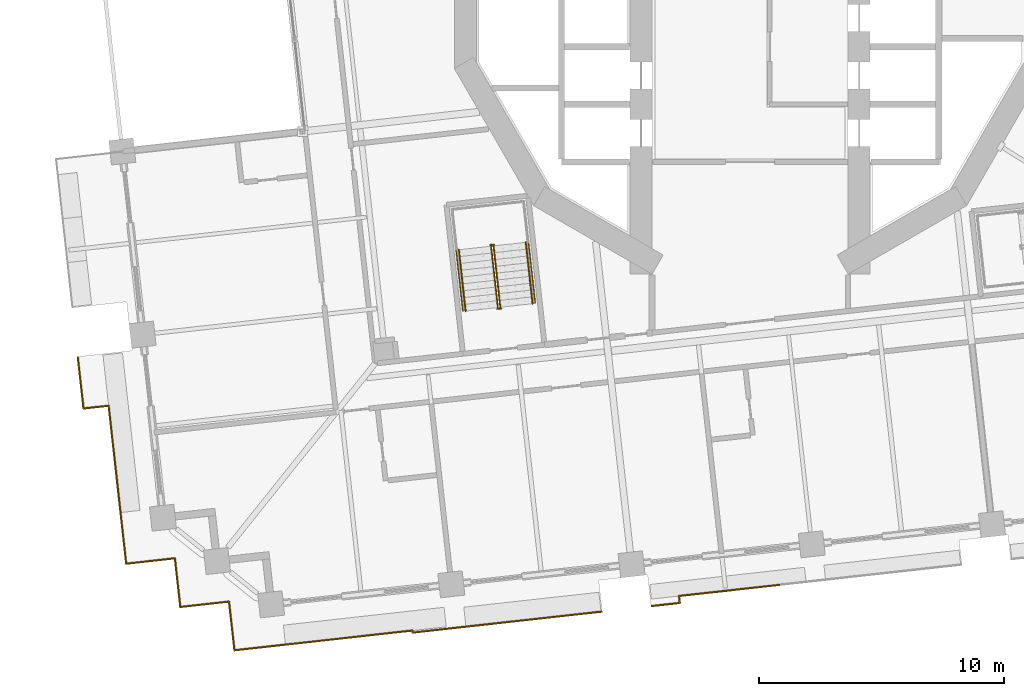
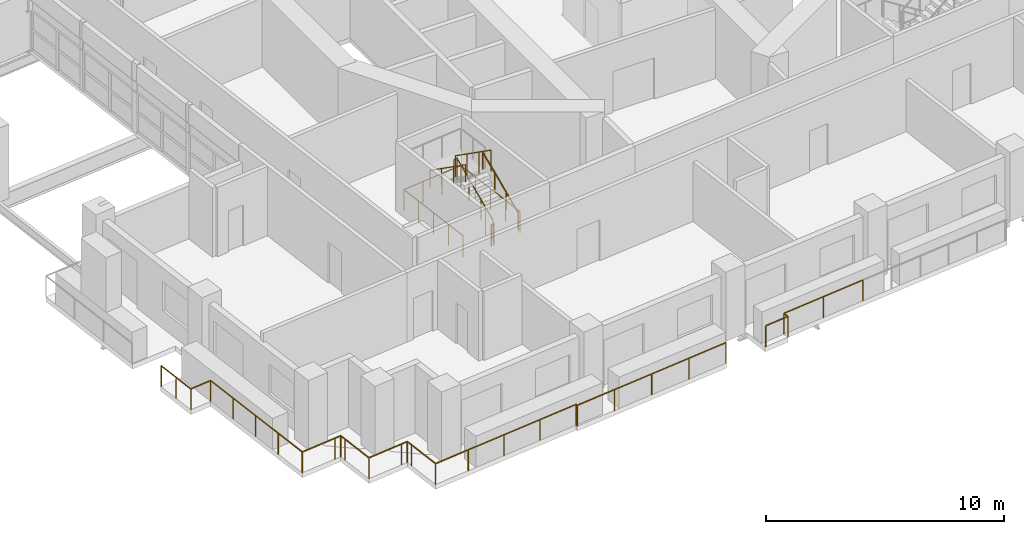
# One storey, part 15 of 21: 9 railings.
"""IFC4 building model written with IfcOpenShell, lengths in metres."""

from ifc_helpers import new_model, si_unit, direction, frame, origin, origin_2d, place, context, subcontext, project, spatial, circle, extrude, material, type_object, element, save


model = new_model("IFC4")

# Units and contexts
model_context = context("Model", 3, precision=1e-05, world=origin(), true_north=direction((0.0, 1.0)))
body_context = subcontext(model_context, "Body", "Model", "MODEL_VIEW")
ifc_project = project(units=[si_unit("LENGTHUNIT", "METRE"), si_unit("AREAUNIT", "SQUARE_METRE"), si_unit("VOLUMEUNIT", "CUBIC_METRE"), si_unit("PLANEANGLEUNIT", "RADIAN"), si_unit("MASSUNIT", "GRAM", prefix="KILO")], contexts=[model_context])

# Site, building, storey
site_placement = place(None, origin())
site = spatial("IfcSite", under=ifc_project, at=site_placement, CompositionType="ELEMENT")
building_placement = place(site_placement, origin())
building = spatial("IfcBuilding", under=site, at=building_placement, Name="Cantera Rosa Tower", CompositionType="ELEMENT")
storey_placement = place(building_placement, frame((0.0, 0.0, 72.89990234375)))
storey = spatial("IfcBuildingStorey", under=building, at=storey_placement, Name="L15", CompositionType="ELEMENT", Elevation=72.89990234375)

# Railings
ifc_material_1 = material(Name="Stainless steel and laminated glass", Category="steel")
railing_type_1 = type_object("IfcRailingType", Name="GUARD 1100", PredefinedType="BALUSTRADE", material=ifc_material_1)
railing_1_placement = place(storey_placement, frame((-25.46826171875, -23.45263671875, 0.0)))
element("IfcRailing", 1, at=railing_1_placement, inside=storey, type_object=railing_type_1, Name="GUARD L15-1", PredefinedType="BALUSTRADE", context=body_context, shape_type="SweptSolid", body=[
    extrude(circle(Radius=0.030029296875, at=origin_2d()), frame((0.0, 0.0, 1.070068359375), z_axis=(-0.110289669906, 0.993899486222, 0.0), x_axis=(-0.993899486222, -0.110289669906, 0.0)), (0.0, 0.0, 1.0), 1.699951171875),
    extrude(circle(Radius=0.030029296875, at=origin_2d()), frame((-0.1875, 1.689697265625, 1.070068359375), z_axis=(-0.110308384039, 0.993897409399, 0.0), x_axis=(-0.993897409399, -0.110308384039, 0.0)), (0.0, 0.0, 1.0), 4.787353515625),
    extrude(circle(Radius=0.030029296875, at=origin_2d()), frame((-0.715576171875, 6.44775390625, 1.070068359375), z_axis=(-0.993889498172, -0.110379642247, 0.0), x_axis=(0.110379642247, -0.993889498172, 0.0)), (0.0, 0.0, 1.0), 1.032958984375),
    extrude(circle(Radius=0.030029296875, at=origin_2d()), frame((-1.7421875, 6.333740234375, 1.070068359375), z_axis=(-0.110304087838, 0.993897886207, 0.0), x_axis=(-0.993897886207, -0.110304087838, 0.0)), (0.0, 0.0, 1.0), 2.102783203125),
    extrude(circle(Radius=0.02490234375, at=origin_2d()), origin(), (0.0, 0.0, 1.0), 1.0400390625),
    extrude(circle(Radius=0.02490234375, at=origin_2d()), frame((-0.1875, 1.689697265625, 0.0)), (0.0, 0.0, 1.0), 1.0400390625),
    extrude(circle(Radius=0.02490234375, at=origin_2d()), frame((-0.363525390625, 3.275634765625, 0.0)), (0.0, 0.0, 1.0), 1.0400390625),
    extrude(circle(Radius=0.02490234375, at=origin_2d()), frame((-0.53955078125, 4.86181640625, 0.0)), (0.0, 0.0, 1.0), 1.0400390625),
    extrude(circle(Radius=0.02490234375, at=origin_2d()), frame((-0.715576171875, 6.44775390625, 0.0)), (0.0, 0.0, 1.0), 1.0400390625),
    extrude(circle(Radius=0.02490234375, at=origin_2d()), frame((-1.7421875, 6.333740234375, 0.0)), (0.0, 0.0, 1.0), 1.0400390625),
    extrude(circle(Radius=0.02490234375, at=origin_2d()), frame((-1.858154296875, 7.378662109375, 0.0)), (0.0, 0.0, 1.0), 1.0400390625),
    extrude(circle(Radius=0.02490234375, at=origin_2d()), frame((-1.97412109375, 8.423583984375, 0.0)), (0.0, 0.0, 1.0), 1.0400390625),
])
railing_2_placement = place(storey_placement, frame((-6.06396484375, -25.4091796875, 0.0)))
element("IfcRailing", 2, at=railing_2_placement, inside=storey, type_object=railing_type_1, Name="GUARD L15-2", PredefinedType="BALUSTRADE", context=body_context, shape_type="SweptSolid", body=[
    extrude(circle(Radius=0.030029296875, at=origin_2d()), frame((0.0, 0.0, 1.070068359375), z_axis=(-0.993897547531, -0.110307139445, 0.0), x_axis=(0.110307139445, -0.993897547531, 0.0)), (0.0, 0.0, 1.0), 7.75537109375),
    extrude(circle(Radius=0.030029296875, at=origin_2d()), frame((-7.7080078125, -0.85546875, 1.070068359375), z_axis=(-0.108859286546, 0.994057169248, 0.0), x_axis=(-0.994057169248, -0.108859286546, 0.0)), (0.0, 0.0, 1.0), 0.085205078125),
    extrude(circle(Radius=0.030029296875, at=origin_2d()), frame((-7.71728515625, -0.770751953125, 1.070068359375), z_axis=(-0.993896984026, -0.110312216663, 0.0), x_axis=(0.110312216663, -0.993896984026, 0.0)), (0.0, 0.0, 1.0), 5.61474609375),
    extrude(circle(Radius=0.030029296875, at=origin_2d()), frame((-13.2978515625, -1.39013671875, 1.070068359375), z_axis=(-0.993883734674, -0.110431526075, 0.0), x_axis=(0.110431526075, -0.993883734674, 0.0)), (0.0, 0.0, 1.0), 1.7001953125),
    extrude(circle(Radius=0.030029296875, at=origin_2d()), frame((-14.987548828125, -1.577880859375, 1.070068359375), z_axis=(-0.110289669906, 0.993899486222, 0.0), x_axis=(-0.993899486222, -0.110289669906, 0.0)), (0.0, 0.0, 1.0), 1.699951171875),
    extrude(circle(Radius=0.030029296875, at=origin_2d()), frame((-15.175048828125, 0.11181640625, 1.070068359375), z_axis=(-0.110699535641, 0.99385391925, 0.0), x_axis=(-0.99385391925, -0.110699535641, 0.0)), (0.0, 0.0, 1.0), 0.300048828125),
    extrude(circle(Radius=0.030029296875, at=origin_2d()), frame((-15.208251953125, 0.409912109375, 1.070068359375), z_axis=(-0.993943154022, -0.10989543472, 0.0), x_axis=(0.10989543472, -0.993943154022, 0.0)), (0.0, 0.0, 1.0), 0.2998046875),
    extrude(circle(Radius=0.030029296875, at=origin_2d()), frame((-15.50634765625, 0.376953125, 1.070068359375), z_axis=(-0.993899486222, -0.110289669906, 0.0), x_axis=(0.110289669906, -0.993899486222, 0.0)), (0.0, 0.0, 1.0), 1.699951171875),
    extrude(circle(Radius=0.030029296875, at=origin_2d()), frame((-17.196044921875, 0.189453125, 1.070068359375), z_axis=(-0.110305413813, 0.993897739047, 0.0), x_axis=(-0.993897739047, -0.110305413813, 0.0)), (0.0, 0.0, 1.0), 1.69970703125),
    extrude(circle(Radius=0.030029296875, at=origin_2d()), frame((-17.383544921875, 1.87890625, 1.070068359375), z_axis=(-0.1098065887, 0.993952973273, 0.0), x_axis=(-0.993952973273, -0.1098065887, 0.0)), (0.0, 0.0, 1.0), 0.300048828125),
    extrude(circle(Radius=0.030029296875, at=origin_2d()), frame((-17.41650390625, 2.17724609375, 1.070068359375), z_axis=(-0.993863881828, -0.110610055588, 0.0), x_axis=(0.110610055588, -0.993863881828, 0.0)), (0.0, 0.0, 1.0), 0.30029296875),
    extrude(circle(Radius=0.030029296875, at=origin_2d()), frame((-17.71484375, 2.14404296875, 1.070068359375), z_axis=(-0.993897739047, -0.110305413813, 0.0), x_axis=(0.110305413813, -0.993897739047, 0.0)), (0.0, 0.0, 1.0), 1.69970703125),
    extrude(circle(Radius=0.02490234375, at=origin_2d()), origin(), (0.0, 0.0, 1.0), 1.0400390625),
    extrude(circle(Radius=0.02490234375, at=origin_2d()), frame((-1.927001953125, -0.2138671875, 0.0)), (0.0, 0.0, 1.0), 1.0400390625),
    extrude(circle(Radius=0.02490234375, at=origin_2d()), frame((-3.85400390625, -0.427734375, 0.0)), (0.0, 0.0, 1.0), 1.0400390625),
    extrude(circle(Radius=0.02490234375, at=origin_2d()), frame((-5.781005859375, -0.6416015625, 0.0)), (0.0, 0.0, 1.0), 1.0400390625),
    extrude(circle(Radius=0.02490234375, at=origin_2d()), frame((-7.7080078125, -0.85546875, 0.0)), (0.0, 0.0, 1.0), 1.0400390625),
    extrude(circle(Radius=0.02490234375, at=origin_2d()), frame((-7.71728515625, -0.770751953125, 0.0)), (0.0, 0.0, 1.0), 1.0400390625),
    extrude(circle(Radius=0.02490234375, at=origin_2d()), frame((-9.577392578125, -0.977294921875, 0.0)), (0.0, 0.0, 1.0), 1.0400390625),
    extrude(circle(Radius=0.02490234375, at=origin_2d()), frame((-11.437744140625, -1.18359375, 0.0)), (0.0, 0.0, 1.0), 1.0400390625),
    extrude(circle(Radius=0.02490234375, at=origin_2d()), frame((-13.2978515625, -1.39013671875, 0.0)), (0.0, 0.0, 1.0), 1.0400390625),
    extrude(circle(Radius=0.02490234375, at=origin_2d()), frame((-14.987548828125, -1.577880859375, 0.0)), (0.0, 0.0, 1.0), 1.0400390625),
    extrude(circle(Radius=0.02490234375, at=origin_2d()), frame((-15.175048828125, 0.11181640625, 0.0)), (0.0, 0.0, 1.0), 1.0400390625),
    extrude(circle(Radius=0.02490234375, at=origin_2d()), frame((-15.208251953125, 0.409912109375, 0.0)), (0.0, 0.0, 1.0), 1.0400390625),
    extrude(circle(Radius=0.02490234375, at=origin_2d()), frame((-15.50634765625, 0.376953125, 0.0)), (0.0, 0.0, 1.0), 1.0400390625),
    extrude(circle(Radius=0.02490234375, at=origin_2d()), frame((-17.196044921875, 0.189453125, 0.0)), (0.0, 0.0, 1.0), 1.0400390625),
    extrude(circle(Radius=0.02490234375, at=origin_2d()), frame((-17.383544921875, 1.87890625, 0.0)), (0.0, 0.0, 1.0), 1.0400390625),
    extrude(circle(Radius=0.02490234375, at=origin_2d()), frame((-17.41650390625, 2.17724609375, 0.0)), (0.0, 0.0, 1.0), 1.0400390625),
    extrude(circle(Radius=0.02490234375, at=origin_2d()), frame((-17.71484375, 2.14404296875, 0.0)), (0.0, 0.0, 1.0), 1.0400390625),
    extrude(circle(Radius=0.02490234375, at=origin_2d()), frame((-19.404296875, 1.95654296875, 0.0)), (0.0, 0.0, 1.0), 1.0400390625),
])
railing_3_placement = place(storey_placement, frame((1.189697265625, -24.317138671875, 0.0)))
element("IfcRailing", 3, at=railing_3_placement, inside=storey, type_object=railing_type_1, Name="GUARD L15-7", PredefinedType="BALUSTRADE", context=body_context, shape_type="SweptSolid", body=[
    extrude(circle(Radius=0.030029296875, at=origin_2d()), frame((0.0, 0.0, 1.070068359375), z_axis=(-0.993898197765, -0.110301280499, 0.0), x_axis=(0.110301280499, -0.993898197765, 0.0)), (0.0, 0.0, 1.0), 4.11474609375),
    extrude(circle(Radius=0.030029296875, at=origin_2d()), frame((-4.089599609375, -0.453857421875, 1.070068359375), z_axis=(0.110431526075, -0.993883734674, 0.0), x_axis=(0.993883734674, 0.110431526075, 0.0)), (0.0, 0.0, 1.0), 0.28515625),
    extrude(circle(Radius=0.030029296875, at=origin_2d()), frame((-4.05810546875, -0.7373046875, 1.070068359375), z_axis=(-0.993896614033, -0.110315550186, 0.0), x_axis=(0.110315550186, -0.993896614033, 0.0)), (0.0, 0.0, 1.0), 1.1552734375),
    extrude(circle(Radius=0.02490234375, at=origin_2d()), origin(), (0.0, 0.0, 1.0), 1.0400390625),
    extrude(circle(Radius=0.02490234375, at=origin_2d()), frame((-2.044921875, -0.22705078125, 0.0)), (0.0, 0.0, 1.0), 1.0400390625),
    extrude(circle(Radius=0.02490234375, at=origin_2d()), frame((-4.089599609375, -0.453857421875, 0.0)), (0.0, 0.0, 1.0), 1.0400390625),
    extrude(circle(Radius=0.02490234375, at=origin_2d()), frame((-4.05810546875, -0.7373046875, 0.0)), (0.0, 0.0, 1.0), 1.0400390625),
    extrude(circle(Radius=0.02490234375, at=origin_2d()), frame((-5.206298828125, -0.86474609375, 0.0)), (0.0, 0.0, 1.0), 1.0400390625),
])
ifc_material_2 = material(Name="Steel S355J2 (EN 10025-2)", Category="steel")
railing_type_2 = type_object("IfcRailingType", Name="STAIR GUARD 1100", PredefinedType="GUARDRAIL", material=ifc_material_2)
railing_4_placement = place(storey_placement, frame((-10.19677734375, -12.986083984375, 0.190185546875)))
element("IfcRailing", 4, at=railing_4_placement, inside=storey, type_object=railing_type_2, Name="L15 ST-13 stair guard 1", PredefinedType="GUARDRAIL", context=body_context, shape_type="SweptSolid", body=[
    extrude(circle(Radius=0.02392578125, at=origin_2d()), frame((0.0, 0.0, 1.076171875), z_axis=(-0.091310000343, 0.822431337597, 0.561488360321), x_axis=(-0.993893182753, -0.110346460196, 0.0)), (0.0, 0.0, 1.0), 3.04541015625),
    extrude(circle(Radius=0.02392578125, at=origin_2d()), frame((-0.278076171875, 2.504638671875, 2.7861328125), z_axis=(0.360141847183, 0.932897555956, 0.0), x_axis=(-0.932897555956, 0.360141847183, 0.0)), (0.0, 0.0, 1.0), 0.05615234375),
    extrude(circle(Radius=0.02392578125, at=origin_2d()), frame((-0.2578125, 2.55712890625, 2.7861328125), z_axis=(-0.994022053584, -0.109179471459, 0.0), x_axis=(0.109179471459, -0.994022053584, 0.0)), (0.0, 0.0, 1.0), 0.14990234375),
    extrude(circle(Radius=0.02099609375, at=origin_2d()), origin(), (0.0, 0.0, 1.0), 1.052001953125),
    extrude(circle(Radius=0.02099609375, at=origin_2d()), frame((-0.0927734375, 0.8349609375, 0.570068359375)), (0.0, 0.0, 1.0), 1.052001953125),
    extrude(circle(Radius=0.02099609375, at=origin_2d()), frame((-0.185302734375, 1.669677734375, 1.139892578125)), (0.0, 0.0, 1.0), 1.052001953125),
    extrude(circle(Radius=0.02099609375, at=origin_2d()), frame((-0.278076171875, 2.504638671875, 1.7099609375)), (0.0, 0.0, 1.0), 1.052001953125),
    extrude(circle(Radius=0.02099609375, at=origin_2d()), frame((-0.2578125, 2.55712890625, 1.7099609375)), (0.0, 0.0, 1.0), 1.052001953125),
    extrude(circle(Radius=0.02099609375, at=origin_2d()), frame((-0.40673828125, 2.540771484375, 1.7099609375)), (0.0, 0.0, 1.0), 1.052001953125),
])
railing_5_placement = place(storey_placement, frame((-10.572265625, -10.4921875, 2.090087890625)))
element("IfcRailing", 5, at=railing_5_placement, inside=storey, type_object=railing_type_2, Name="L15 ST-13 stair guard 2", PredefinedType="GUARDRAIL", context=body_context, shape_type="SweptSolid", body=[
    extrude(circle(Radius=0.02392578125, at=origin_2d()), frame((0.0, 0.0, 1.076171875), z_axis=(0.091310000343, -0.822431337597, 0.561488360321), x_axis=(0.993893182753, 0.110346460196, 0.0)), (0.0, 0.0, 1.0), 3.04541015625),
    extrude(circle(Radius=0.02099609375, at=origin_2d()), origin(), (0.0, 0.0, 1.0), 1.052001953125),
    extrude(circle(Radius=0.02099609375, at=origin_2d()), frame((0.0927734375, -0.8349609375, 0.570068359375)), (0.0, 0.0, 1.0), 1.052001953125),
    extrude(circle(Radius=0.02099609375, at=origin_2d()), frame((0.185302734375, -1.669677734375, 1.139892578125)), (0.0, 0.0, 1.0), 1.052001953125),
    extrude(circle(Radius=0.02099609375, at=origin_2d()), frame((0.278076171875, -2.504638671875, 1.7099609375)), (0.0, 0.0, 1.0), 1.052001953125),
])
railing_6_placement = place(storey_placement, frame((-10.16552734375, -13.032958984375, 0.0)))
element("IfcRailing", 6, at=railing_6_placement, inside=storey, type_object=railing_type_2, Name="L15 ST-13 stair guard 3", PredefinedType="GUARDRAIL", context=body_context, shape_type="SweptSolid", body=[
    extrude(circle(Radius=0.02392578125, at=origin_2d()), frame((0.0, 0.0, 1.076171875), z_axis=(-0.994041430915, -0.1090029065, 0.0), x_axis=(0.1090029065, -0.994041430915, 0.0)), (0.0, 0.0, 1.0), 0.150146484375),
    extrude(circle(Radius=0.02099609375, at=origin_2d()), origin(), (0.0, 0.0, 1.0), 1.052001953125),
    extrude(circle(Radius=0.02099609375, at=origin_2d()), frame((-0.149169921875, -0.016357421875, 0.0)), (0.0, 0.0, 1.0), 1.052001953125),
])
railing_7_placement = place(storey_placement, frame((-8.77099609375, -12.815673828125, 0.0)))
element("IfcRailing", 7, at=railing_7_placement, inside=storey, type_object=railing_type_2, Name="L15 ST-13 stair guard 4", PredefinedType="GUARDRAIL", context=body_context, shape_type="SweptSolid", body=[
    extrude(circle(Radius=0.02392578125, at=origin_2d()), frame((0.0, 0.0, 1.076171875), z_axis=(-0.110323013767, 0.9938957856, 0.0), x_axis=(-0.9938957856, -0.110323013767, 0.0)), (0.0, 0.0, 1.0), 4.197998046875),
    extrude(circle(Radius=0.02392578125, at=origin_2d()), frame((-0.463134765625, 4.17236328125, 1.076171875), z_axis=(-0.993896759678, -0.110314237986, 0.0), x_axis=(0.110314237986, -0.993896759678, 0.0)), (0.0, 0.0, 1.0), 2.969970703125),
    extrude(circle(Radius=0.02392578125, at=origin_2d()), frame((-3.4150390625, 3.8447265625, 1.076171875), z_axis=(0.110323013767, -0.9938957856, 0.0), x_axis=(0.9938957856, 0.110323013767, 0.0)), (0.0, 0.0, 1.0), 4.197998046875),
    extrude(circle(Radius=0.02099609375, at=origin_2d()), origin(), (0.0, 0.0, 1.0), 1.052001953125),
    extrude(circle(Radius=0.02099609375, at=origin_2d()), frame((-0.11572265625, 1.04296875, 0.0)), (0.0, 0.0, 1.0), 1.052001953125),
    extrude(circle(Radius=0.02099609375, at=origin_2d()), frame((-0.2314453125, 2.086181640625, 0.0)), (0.0, 0.0, 1.0), 1.052001953125),
    extrude(circle(Radius=0.02099609375, at=origin_2d()), frame((-0.347412109375, 3.12939453125, 0.0)), (0.0, 0.0, 1.0), 1.052001953125),
    extrude(circle(Radius=0.02099609375, at=origin_2d()), frame((-0.463134765625, 4.17236328125, 0.0)), (0.0, 0.0, 1.0), 1.052001953125),
    extrude(circle(Radius=0.02099609375, at=origin_2d()), frame((-1.447021484375, 4.063232421875, 0.0)), (0.0, 0.0, 1.0), 1.052001953125),
    extrude(circle(Radius=0.02099609375, at=origin_2d()), frame((-2.43115234375, 3.953857421875, 0.0)), (0.0, 0.0, 1.0), 1.052001953125),
    extrude(circle(Radius=0.02099609375, at=origin_2d()), frame((-3.4150390625, 3.8447265625, 0.0)), (0.0, 0.0, 1.0), 1.052001953125),
    extrude(circle(Radius=0.02099609375, at=origin_2d()), frame((-3.29931640625, 2.8017578125, 0.0)), (0.0, 0.0, 1.0), 1.052001953125),
    extrude(circle(Radius=0.02099609375, at=origin_2d()), frame((-3.18359375, 1.758544921875, 0.0)), (0.0, 0.0, 1.0), 1.052001953125),
    extrude(circle(Radius=0.02099609375, at=origin_2d()), frame((-3.067626953125, 0.71533203125, 0.0)), (0.0, 0.0, 1.0), 1.052001953125),
    extrude(circle(Radius=0.02099609375, at=origin_2d()), frame((-2.951904296875, -0.32763671875, 0.0)), (0.0, 0.0, 1.0), 1.052001953125),
])
ifc_material_3 = material(Name="Steel S355J2 (EN 10025-2)", Category="steel")
railing_type_3 = type_object("IfcRailingType", Name="STAIR HANDRAIL 900", PredefinedType="HANDRAIL", material=ifc_material_3)
railing_8_placement = place(storey_placement, frame((-8.87890625, -12.83984375, 0.190185546875)))
element("IfcRailing", 8, at=railing_8_placement, inside=storey, type_object=railing_type_3, Name="L15 ST-13 stair handrail 1", PredefinedType="HANDRAIL", context=body_context, shape_type="SweptSolid", body=[
    extrude(circle(Radius=0.02392578125, at=origin_2d()), frame((0.0, 0.0, 0.8759765625), z_axis=(-0.091310000343, 0.822431337597, 0.561488360321), x_axis=(-0.993893182753, -0.110346460196, 0.0)), (0.0, 0.0, 1.0), 3.04541015625),
    extrude(circle(Radius=0.02099609375, at=origin_2d()), origin(), (0.0, 0.0, 1.0), 0.851806640625),
    extrude(circle(Radius=0.02099609375, at=origin_2d()), frame((-0.0927734375, 0.8349609375, 0.570068359375)), (0.0, 0.0, 1.0), 0.851806640625),
    extrude(circle(Radius=0.02099609375, at=origin_2d()), frame((-0.185302734375, 1.669677734375, 1.139892578125)), (0.0, 0.0, 1.0), 0.851806640625),
    extrude(circle(Radius=0.02099609375, at=origin_2d()), frame((-0.278076171875, 2.504638671875, 1.7099609375)), (0.0, 0.0, 1.0), 0.851806640625),
])
railing_9_placement = place(storey_placement, frame((-11.89013671875, -10.638427734375, 2.090087890625)))
element("IfcRailing", 9, at=railing_9_placement, inside=storey, type_object=railing_type_3, Name="L15 ST-13 stair handrail 2", PredefinedType="HANDRAIL", context=body_context, shape_type="SweptSolid", body=[
    extrude(circle(Radius=0.02392578125, at=origin_2d()), frame((0.0, 0.0, 0.8759765625), z_axis=(0.091310000343, -0.822431337597, 0.561488360321), x_axis=(0.993893182753, 0.110346460196, 0.0)), (0.0, 0.0, 1.0), 3.04541015625),
    extrude(circle(Radius=0.02099609375, at=origin_2d()), origin(), (0.0, 0.0, 1.0), 0.851806640625),
    extrude(circle(Radius=0.02099609375, at=origin_2d()), frame((0.0927734375, -0.8349609375, 0.570068359375)), (0.0, 0.0, 1.0), 0.851806640625),
    extrude(circle(Radius=0.02099609375, at=origin_2d()), frame((0.185302734375, -1.669677734375, 1.139892578125)), (0.0, 0.0, 1.0), 0.851806640625),
    extrude(circle(Radius=0.02099609375, at=origin_2d()), frame((0.278076171875, -2.504638671875, 1.7099609375)), (0.0, 0.0, 1.0), 0.851806640625),
])

save(model, "model.ifc")
